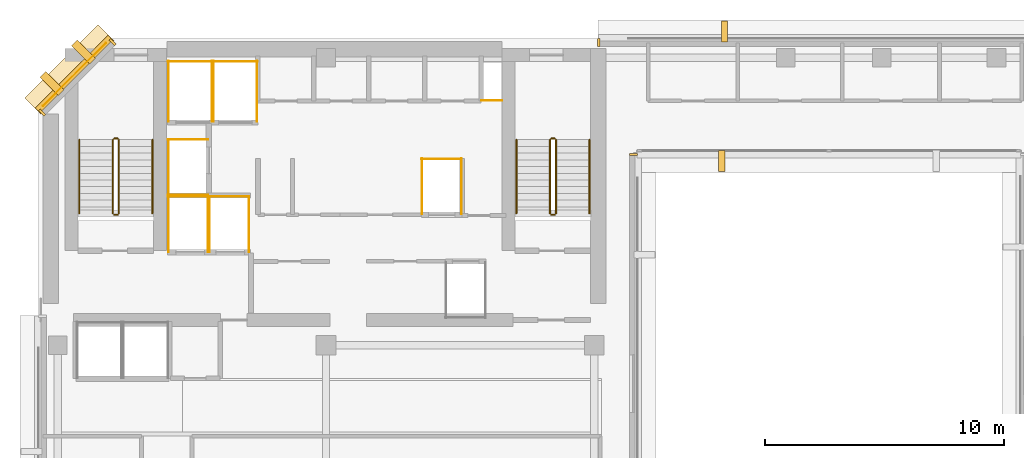
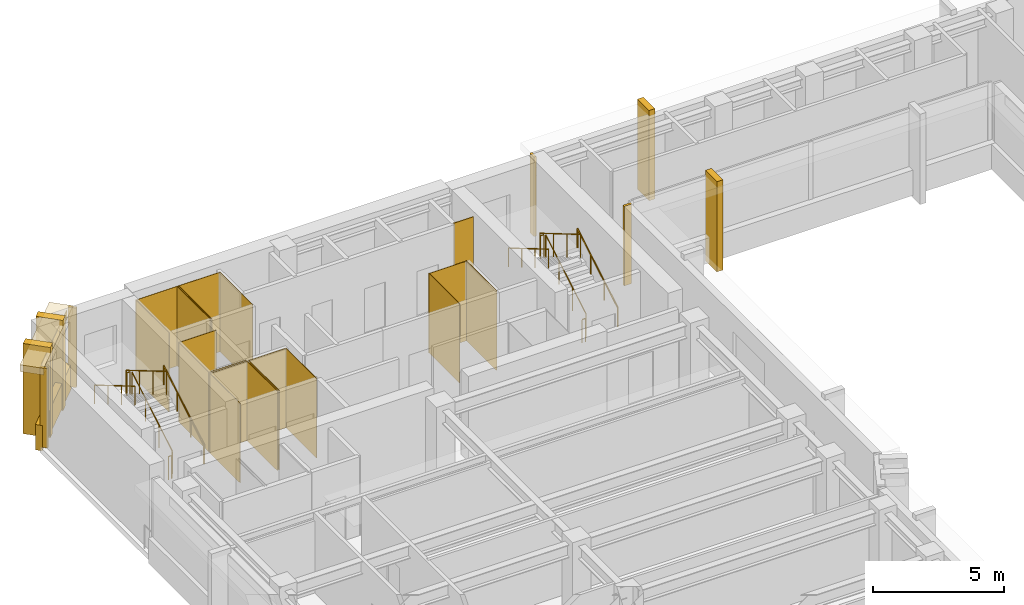
# One storey, part 11 of 12: 30 coverings, 12 railings.
"""IFC4 building model written with IfcOpenShell, lengths in metres."""

from ifc_helpers import new_model, si_unit, direction, frame, origin, origin_2d, place, context, subcontext, project, spatial, polyline, rectangle, circle, outline, extrude, material, layer, layer_set, type_object, element, save


model = new_model("IFC4")

# Units and contexts
model_context = context("Model", 3, precision=1e-05, world=origin(), true_north=direction((0.0, 1.0)))
body_context = subcontext(model_context, "Body", "Model", "MODEL_VIEW")
ifc_project = project(units=[si_unit("LENGTHUNIT", "METRE"), si_unit("AREAUNIT", "SQUARE_METRE"), si_unit("VOLUMEUNIT", "CUBIC_METRE"), si_unit("PLANEANGLEUNIT", "RADIAN"), si_unit("MASSUNIT", "GRAM", prefix="KILO")], contexts=[model_context])

# Site, building, storey
site_placement = place(None, origin())
site = spatial("IfcSite", under=ifc_project, at=site_placement, CompositionType="ELEMENT")
building_placement = place(site_placement, origin())
building = spatial("IfcBuilding", under=site, at=building_placement, Name="Kefirva Bronze Tower", CompositionType="ELEMENT")
storey_placement = place(building_placement, frame((0.0, 0.0, 235.6201171875)))
storey = spatial("IfcBuildingStorey", under=building, at=storey_placement, Name="L57", CompositionType="ELEMENT", Elevation=235.6201171875)

# Coverings
ifc_material_1 = material(Name="Bronze anodised aluminium", Category="aluminium")
ifc_layer_1 = layer(ifc_material_1, 0.02001953125, Name="Bronze anodised aluminium")
ifc_layer_set_1 = layer_set([ifc_layer_1], Name="Bronze anodised aluminium")
covering_type_1 = type_object("IfcCoveringType", Name="Anodised Bronze Spandrel Cladding 20mm", PredefinedType="CLADDING", material=ifc_layer_set_1)
for number, where, z_axis, x_axis, name in (
    (1, (24.840087890625, 41.1650390625, 0.0), (0.0, 0.0, 1.0), (0.0, 1.0, 0.0), "L57 Facade Joint Closure Panel 4E"),
    (2, (23.385009765625, 45.840087890625, 0.0), (0.0, 0.0, 1.0), (-1.0, 0.0, 0.0), "L57 Facade Joint Closure Panel 11E"),
):
    element("IfcCovering", number, at=place(storey_placement, frame(where, z_axis=z_axis, x_axis=x_axis)), inside=storey, type_object=covering_type_1, Name=name, PredefinedType="CLADDING", context=body_context, shape_type="SweptSolid", body=[
        extrude(rectangle(XDim=0.10009765625, YDim=0.320068359375, at=origin_2d()), origin(), (0.0, 0.0, 1.0), 3.7099609375),
    ])
covering_1_placement = place(storey_placement, frame((1.492919921875, 44.507080078125, 3.2900390625), z_axis=(0.0, 0.0, 1.0), x_axis=(-0.707106781187, -0.707106781187, 0.0)))
element("IfcCovering", 3, at=covering_1_placement, inside=storey, type_object=covering_type_1, Name="L57 Bronze Spandrel Cladding 12", PredefinedType="CLADDING", context=body_context, shape_type="SweptSolid", body=[
    extrude(rectangle(XDim=3.719482421875, YDim=0.02001953125, at=origin_2d()), origin(), (0.0, 0.0, 1.0), 0.39990234375),
])
for number, where, z_axis, x_axis, name in (
    (4, (3.08837890625, 45.862060546875, 0.0), (0.0, 0.0, 1.0), (-0.707106781187, -0.707106781187, 0.0), "L57 Facade Joint Closure Panel 12S"),
    (5, (0.137939453125, 42.91162109375, 0.0), (0.0, 0.0, 1.0), (-0.707106781187, -0.707106781187, 0.0), "L57 Facade Joint Closure Panel 12E"),
):
    element("IfcCovering", number, at=place(storey_placement, frame(where, z_axis=z_axis, x_axis=x_axis)), inside=storey, type_object=covering_type_1, Name=name, PredefinedType="CLADDING", context=body_context, shape_type="SweptSolid", body=[
        extrude(rectangle(XDim=0.10009765625, YDim=0.320068359375, at=origin_2d()), origin(), (0.0, 0.0, 1.0), 3.7099609375),
    ])
covering_2_placement = place(storey_placement, frame((1.4716796875, 44.5283203125, -0.16015625), z_axis=(0.0, 0.0, 1.0), x_axis=(-0.707106781187, -0.707106781187, 0.0)))
element("IfcCovering", 6, at=covering_2_placement, inside=storey, type_object=covering_type_1, Name="L57 Streamline Horizontal Spandrel Band 14", PredefinedType="CLADDING", context=body_context, shape_type="SweptSolid", body=[
    extrude(rectangle(XDim=4.28271484375, YDim=0.280029296875, at=origin_2d()), origin(), (0.0, 0.0, 1.0), 1.179931640625),
])
covering_3_placement = place(storey_placement, origin())
element("IfcCovering", 7, at=covering_3_placement, inside=storey, type_object=covering_type_1, Name="L57 Lift FF1 Hoistway Liner N", PredefinedType="CLADDING", context=body_context, shape_type="SweptSolid", body=[
    extrude(outline(polyline([(5.39990234375, 39.389892578125), (7.080078125, 39.389892578125), (7.080078125, 39.409912109375), (5.39990234375, 39.409912109375), (5.39990234375, 39.389892578125)])), origin(), (0.0, 0.0, 1.0), 3.7099609375),
])
covering_4_placement = place(storey_placement, origin())
element("IfcCovering", 8, at=covering_4_placement, inside=storey, type_object=covering_type_1, Name="L57 Lift FF1 Hoistway Liner W", PredefinedType="CLADDING", context=body_context, shape_type="SweptSolid", body=[
    extrude(outline(polyline([(5.409912109375, 37.080078125), (5.429931640625, 37.080078125), (5.429931640625, 39.419921875), (5.409912109375, 39.419921875), (5.409912109375, 37.080078125)])), origin(), (0.0, 0.0, 1.0), 3.7099609375),
])
covering_5_placement = place(storey_placement, origin())
element("IfcCovering", 9, at=covering_5_placement, inside=storey, type_object=covering_type_1, Name="L57 Lift FF1 Hoistway Liner E", PredefinedType="CLADDING", context=body_context, shape_type="SweptSolid", body=[
    extrude(outline(polyline([(7.050048828125, 37.080078125), (7.070068359375, 37.080078125), (7.070068359375, 39.419921875), (7.050048828125, 39.419921875), (7.050048828125, 37.080078125)])), origin(), (0.0, 0.0, 1.0), 3.7099609375),
])
covering_6_placement = place(storey_placement, origin())
element("IfcCovering", 10, at=covering_6_placement, inside=storey, type_object=covering_type_1, Name="L57 Lift FF2 Hoistway Liner N", PredefinedType="CLADDING", context=body_context, shape_type="SweptSolid", body=[
    extrude(outline(polyline([(7.1201171875, 39.389892578125), (8.800048828125, 39.389892578125), (8.800048828125, 39.409912109375), (7.1201171875, 39.409912109375), (7.1201171875, 39.389892578125)])), origin(), (0.0, 0.0, 1.0), 3.7099609375),
])
covering_7_placement = place(storey_placement, origin())
element("IfcCovering", 11, at=covering_7_placement, inside=storey, type_object=covering_type_1, Name="L57 Lift FF2 Hoistway Liner W", PredefinedType="CLADDING", context=body_context, shape_type="SweptSolid", body=[
    extrude(outline(polyline([(7.1298828125, 37.080078125), (7.14990234375, 37.080078125), (7.14990234375, 39.419921875), (7.1298828125, 39.419921875), (7.1298828125, 37.080078125)])), origin(), (0.0, 0.0, 1.0), 3.7099609375),
])
covering_8_placement = place(storey_placement, origin())
element("IfcCovering", 12, at=covering_8_placement, inside=storey, type_object=covering_type_1, Name="L57 Lift FF2 Hoistway Liner E", PredefinedType="CLADDING", context=body_context, shape_type="SweptSolid", body=[
    extrude(outline(polyline([(8.77001953125, 37.080078125), (8.7900390625, 37.080078125), (8.7900390625, 39.419921875), (8.77001953125, 39.419921875), (8.77001953125, 37.080078125)])), origin(), (0.0, 0.0, 1.0), 3.7099609375),
])
covering_9_placement = place(storey_placement, origin())
element("IfcCovering", 13, at=covering_9_placement, inside=storey, type_object=covering_type_1, Name="L57 Lift SV1 Hoistway Liner N", PredefinedType="CLADDING", context=body_context, shape_type="SweptSolid", body=[
    extrude(outline(polyline([(5.39990234375, 45.0400390625), (7.260009765625, 45.0400390625), (7.260009765625, 45.06005859375), (5.39990234375, 45.06005859375), (5.39990234375, 45.0400390625)])), origin(), (0.0, 0.0, 1.0), 3.7099609375),
])
covering_10_placement = place(storey_placement, origin())
element("IfcCovering", 14, at=covering_10_placement, inside=storey, type_object=covering_type_1, Name="L57 Lift SV1 Hoistway Liner W", PredefinedType="CLADDING", context=body_context, shape_type="SweptSolid", body=[
    extrude(outline(polyline([(5.409912109375, 42.530029296875), (5.429931640625, 42.530029296875), (5.429931640625, 45.070068359375), (5.409912109375, 45.070068359375), (5.409912109375, 42.530029296875)])), origin(), (0.0, 0.0, 1.0), 3.7099609375),
])
covering_11_placement = place(storey_placement, origin())
element("IfcCovering", 15, at=covering_11_placement, inside=storey, type_object=covering_type_1, Name="L57 Lift SV1 Hoistway Liner E", PredefinedType="CLADDING", context=body_context, shape_type="SweptSolid", body=[
    extrude(outline(polyline([(7.22998046875, 42.530029296875), (7.25, 42.530029296875), (7.25, 45.070068359375), (7.22998046875, 45.070068359375), (7.22998046875, 42.530029296875)])), origin(), (0.0, 0.0, 1.0), 3.7099609375),
])
covering_12_placement = place(storey_placement, origin())
element("IfcCovering", 16, at=covering_12_placement, inside=storey, type_object=covering_type_1, Name="L57 Lift SV2 Hoistway Liner N", PredefinedType="CLADDING", context=body_context, shape_type="SweptSolid", body=[
    extrude(outline(polyline([(7.280029296875, 45.0400390625), (9.139892578125, 45.0400390625), (9.139892578125, 45.06005859375), (7.280029296875, 45.06005859375), (7.280029296875, 45.0400390625)])), origin(), (0.0, 0.0, 1.0), 3.7099609375),
])
covering_13_placement = place(storey_placement, origin())
element("IfcCovering", 17, at=covering_13_placement, inside=storey, type_object=covering_type_1, Name="L57 Lift SV2 Hoistway Liner W", PredefinedType="CLADDING", context=body_context, shape_type="SweptSolid", body=[
    extrude(outline(polyline([(7.2900390625, 42.530029296875), (7.31005859375, 42.530029296875), (7.31005859375, 45.070068359375), (7.2900390625, 45.070068359375), (7.2900390625, 42.530029296875)])), origin(), (0.0, 0.0, 1.0), 3.7099609375),
])
covering_14_placement = place(storey_placement, origin())
element("IfcCovering", 18, at=covering_14_placement, inside=storey, type_object=covering_type_1, Name="L57 Lift SV2 Hoistway Liner E", PredefinedType="CLADDING", context=body_context, shape_type="SweptSolid", body=[
    extrude(outline(polyline([(9.110107421875, 42.530029296875), (9.1298828125, 42.530029296875), (9.1298828125, 45.070068359375), (9.110107421875, 45.070068359375), (9.110107421875, 42.530029296875)])), origin(), (0.0, 0.0, 1.0), 3.7099609375),
])
covering_15_placement = place(storey_placement, origin())
element("IfcCovering", 19, at=covering_15_placement, inside=storey, type_object=covering_type_1, Name="L57 Lift HP2 Hoistway Liner N", PredefinedType="CLADDING", context=body_context, shape_type="SweptSolid", body=[
    extrude(outline(polyline([(15.97998046875, 40.969970703125), (17.669921875, 40.969970703125), (17.669921875, 40.989990234375), (15.97998046875, 40.989990234375), (15.97998046875, 40.969970703125)])), origin(), (0.0, 0.0, 1.0), 3.7099609375),
])
covering_16_placement = place(storey_placement, origin())
element("IfcCovering", 20, at=covering_16_placement, inside=storey, type_object=covering_type_1, Name="L57 Lift HP2 Hoistway Liner W", PredefinedType="CLADDING", context=body_context, shape_type="SweptSolid", body=[
    extrude(outline(polyline([(15.989990234375, 38.659912109375), (16.010009765625, 38.659912109375), (16.010009765625, 41.0), (15.989990234375, 41.0), (15.989990234375, 38.659912109375)])), origin(), (0.0, 0.0, 1.0), 3.7099609375),
])
covering_17_placement = place(storey_placement, origin())
element("IfcCovering", 21, at=covering_17_placement, inside=storey, type_object=covering_type_1, Name="L57 Lift HP2 Hoistway Liner E", PredefinedType="CLADDING", context=body_context, shape_type="SweptSolid", body=[
    extrude(outline(polyline([(17.639892578125, 38.659912109375), (17.659912109375, 38.659912109375), (17.659912109375, 41.0), (17.639892578125, 41.0), (17.639892578125, 38.659912109375)])), origin(), (0.0, 0.0, 1.0), 3.7099609375),
])
covering_18_placement = place(storey_placement, origin())
element("IfcCovering", 22, at=covering_18_placement, inside=storey, type_object=covering_type_1, Name="L57 Lift HP3 Hoistway Liner N", PredefinedType="CLADDING", context=body_context, shape_type="SweptSolid", body=[
    extrude(outline(polyline([(5.39990234375, 41.77001953125), (7.080078125, 41.77001953125), (7.080078125, 41.7900390625), (5.39990234375, 41.7900390625), (5.39990234375, 41.77001953125)])), origin(), (0.0, 0.0, 1.0), 3.7099609375),
])
covering_19_placement = place(storey_placement, origin())
element("IfcCovering", 23, at=covering_19_placement, inside=storey, type_object=covering_type_1, Name="L57 Lift HP3 Hoistway Liner S", PredefinedType="CLADDING", context=body_context, shape_type="SweptSolid", body=[
    extrude(outline(polyline([(5.39990234375, 39.469970703125), (7.080078125, 39.469970703125), (7.080078125, 39.489990234375), (5.39990234375, 39.489990234375), (5.39990234375, 39.469970703125)])), origin(), (0.0, 0.0, 1.0), 3.7099609375),
])
covering_20_placement = place(storey_placement, origin())
element("IfcCovering", 24, at=covering_20_placement, inside=storey, type_object=covering_type_1, Name="L57 Lift HP3 Hoistway Liner W", PredefinedType="CLADDING", context=body_context, shape_type="SweptSolid", body=[
    extrude(outline(polyline([(5.409912109375, 39.4599609375), (5.429931640625, 39.4599609375), (5.429931640625, 41.800048828125), (5.409912109375, 41.800048828125), (5.409912109375, 39.4599609375)])), origin(), (0.0, 0.0, 1.0), 3.7099609375),
])
covering_21_placement = place(storey_placement, origin())
element("IfcCovering", 25, at=covering_21_placement, inside=storey, type_object=covering_type_1, Name="L57 Core MEP Riser Shaft Liner South", PredefinedType="CLADDING", context=body_context, shape_type="SweptSolid", body=[
    extrude(outline(polyline([(18.47998046875, 43.39990234375), (19.360107421875, 43.39990234375), (19.360107421875, 43.429931640625), (18.47998046875, 43.429931640625), (18.47998046875, 43.39990234375)])), origin(), (0.0, 0.0, 1.0), 3.7099609375),
])

# Railings
ifc_material_2 = material(Name="Stainless steel 316", Category="steel")
railing_type_1 = type_object("IfcRailingType", Name="Interior Stair Guardrail 1100mm", PredefinedType="GUARDRAIL", material=ifc_material_2)
railing_1_placement = place(storey_placement, frame((3.35009765625, 38.699951171875, 0.164794921875)))
element("IfcRailing", 26, at=railing_1_placement, inside=storey, type_object=railing_type_1, Name="L57 ST-1 stair guard 1", PredefinedType="GUARDRAIL", context=body_context, shape_type="SweptSolid", body=[
    extrude(circle(Radius=0.02392578125, at=origin_2d()), frame((0.0, 0.0, 1.076171875), z_axis=(0.0, 0.861521393093, 0.507721271215), x_axis=(-1.0, 0.0, 0.0)), (0.0, 0.0, 1.0), 3.5751953125),
    extrude(circle(Radius=0.02099609375, at=origin_2d()), origin(), (0.0, 0.0, 1.0), 1.052001953125),
    extrude(circle(Radius=0.02099609375, at=origin_2d()), frame((0.0, 1.026611328125, 0.60498046875)), (0.0, 0.0, 1.0), 1.052001953125),
    extrude(circle(Radius=0.02099609375, at=origin_2d()), frame((0.0, 2.053466796875, 1.210205078125)), (0.0, 0.0, 1.0), 1.052001953125),
    extrude(circle(Radius=0.02099609375, at=origin_2d()), frame((0.0, 3.080078125, 1.815185546875)), (0.0, 0.0, 1.0), 1.052001953125),
])
railing_2_placement = place(storey_placement, frame((3.300048828125, 41.830078125, 1.97998046875)))
element("IfcRailing", 27, at=railing_2_placement, inside=storey, type_object=railing_type_1, Name="L57 ST-1 stair guard 2", PredefinedType="GUARDRAIL", context=body_context, shape_type="SweptSolid", body=[
    extrude(circle(Radius=0.02392578125, at=origin_2d()), frame((0.0, 0.0, 1.076171875), z_axis=(-1.0, 0.0, 0.0), x_axis=(0.0, -1.0, 0.0)), (0.0, 0.0, 1.0), 0.150146484375),
    extrude(circle(Radius=0.02099609375, at=origin_2d()), origin(), (0.0, 0.0, 1.0), 1.052001953125),
    extrude(circle(Radius=0.02099609375, at=origin_2d()), frame((-0.150146484375, 0.0, 0.0)), (0.0, 0.0, 1.0), 1.052001953125),
])
railing_3_placement = place(storey_placement, frame((3.10009765625, 41.780029296875, 2.144775390625)))
element("IfcRailing", 28, at=railing_3_placement, inside=storey, type_object=railing_type_1, Name="L57 ST-1 stair guard 3", PredefinedType="GUARDRAIL", context=body_context, shape_type="SweptSolid", body=[
    extrude(circle(Radius=0.02392578125, at=origin_2d()), frame((0.0, 0.0, 1.076171875), z_axis=(0.0, -0.861521393093, 0.507721271215), x_axis=(1.0, 0.0, 0.0)), (0.0, 0.0, 1.0), 3.5751953125),
    extrude(circle(Radius=0.02099609375, at=origin_2d()), origin(), (0.0, 0.0, 1.0), 1.052001953125),
    extrude(circle(Radius=0.02099609375, at=origin_2d()), frame((0.0, -1.026611328125, 0.60498046875)), (0.0, 0.0, 1.0), 1.052001953125),
    extrude(circle(Radius=0.02099609375, at=origin_2d()), frame((0.0, -2.053466796875, 1.210205078125)), (0.0, 0.0, 1.0), 1.052001953125),
    extrude(circle(Radius=0.02099609375, at=origin_2d()), frame((0.0, -3.080078125, 1.815185546875)), (0.0, 0.0, 1.0), 1.052001953125),
])
railing_4_placement = place(storey_placement, frame((3.300048828125, 38.64990234375, 0.0)))
element("IfcRailing", 29, at=railing_4_placement, inside=storey, type_object=railing_type_1, Name="L57 ST-1 stair guard 4", PredefinedType="GUARDRAIL", context=body_context, shape_type="SweptSolid", body=[
    extrude(circle(Radius=0.02392578125, at=origin_2d()), frame((0.0, 0.0, 1.076171875), z_axis=(-1.0, 0.0, 0.0), x_axis=(0.0, -1.0, 0.0)), (0.0, 0.0, 1.0), 0.150146484375),
    extrude(circle(Radius=0.02099609375, at=origin_2d()), origin(), (0.0, 0.0, 1.0), 1.052001953125),
    extrude(circle(Radius=0.02099609375, at=origin_2d()), frame((-0.150146484375, 0.0, 0.0)), (0.0, 0.0, 1.0), 1.052001953125),
])
railing_5_placement = place(storey_placement, frame((21.60009765625, 38.699951171875, 0.164794921875)))
element("IfcRailing", 30, at=railing_5_placement, inside=storey, type_object=railing_type_1, Name="L57 ST-2 stair guard 1", PredefinedType="GUARDRAIL", context=body_context, shape_type="SweptSolid", body=[
    extrude(circle(Radius=0.02392578125, at=origin_2d()), frame((0.0, 0.0, 1.076171875), z_axis=(0.0, 0.861521393093, 0.507721271215), x_axis=(-1.0, 0.0, 0.0)), (0.0, 0.0, 1.0), 3.5751953125),
    extrude(circle(Radius=0.02099609375, at=origin_2d()), origin(), (0.0, 0.0, 1.0), 1.052001953125),
    extrude(circle(Radius=0.02099609375, at=origin_2d()), frame((0.0, 1.026611328125, 0.60498046875)), (0.0, 0.0, 1.0), 1.052001953125),
    extrude(circle(Radius=0.02099609375, at=origin_2d()), frame((0.0, 2.053466796875, 1.210205078125)), (0.0, 0.0, 1.0), 1.052001953125),
    extrude(circle(Radius=0.02099609375, at=origin_2d()), frame((0.0, 3.080078125, 1.815185546875)), (0.0, 0.0, 1.0), 1.052001953125),
])
railing_6_placement = place(storey_placement, frame((21.550048828125, 41.830078125, 1.97998046875)))
element("IfcRailing", 31, at=railing_6_placement, inside=storey, type_object=railing_type_1, Name="L57 ST-2 stair guard 2", PredefinedType="GUARDRAIL", context=body_context, shape_type="SweptSolid", body=[
    extrude(circle(Radius=0.02392578125, at=origin_2d()), frame((0.0, 0.0, 1.076171875), z_axis=(-1.0, 0.0, 0.0), x_axis=(0.0, -1.0, 0.0)), (0.0, 0.0, 1.0), 0.150146484375),
    extrude(circle(Radius=0.02099609375, at=origin_2d()), origin(), (0.0, 0.0, 1.0), 1.052001953125),
    extrude(circle(Radius=0.02099609375, at=origin_2d()), frame((-0.150146484375, 0.0, 0.0)), (0.0, 0.0, 1.0), 1.052001953125),
])
railing_7_placement = place(storey_placement, frame((21.35009765625, 41.780029296875, 2.144775390625)))
element("IfcRailing", 32, at=railing_7_placement, inside=storey, type_object=railing_type_1, Name="L57 ST-2 stair guard 3", PredefinedType="GUARDRAIL", context=body_context, shape_type="SweptSolid", body=[
    extrude(circle(Radius=0.02392578125, at=origin_2d()), frame((0.0, 0.0, 1.076171875), z_axis=(0.0, -0.861521393093, 0.507721271215), x_axis=(1.0, 0.0, 0.0)), (0.0, 0.0, 1.0), 3.5751953125),
    extrude(circle(Radius=0.02099609375, at=origin_2d()), origin(), (0.0, 0.0, 1.0), 1.052001953125),
    extrude(circle(Radius=0.02099609375, at=origin_2d()), frame((0.0, -1.026611328125, 0.60498046875)), (0.0, 0.0, 1.0), 1.052001953125),
    extrude(circle(Radius=0.02099609375, at=origin_2d()), frame((0.0, -2.053466796875, 1.210205078125)), (0.0, 0.0, 1.0), 1.052001953125),
    extrude(circle(Radius=0.02099609375, at=origin_2d()), frame((0.0, -3.080078125, 1.815185546875)), (0.0, 0.0, 1.0), 1.052001953125),
])
railing_8_placement = place(storey_placement, frame((21.550048828125, 38.64990234375, 0.0)))
element("IfcRailing", 33, at=railing_8_placement, inside=storey, type_object=railing_type_1, Name="L57 ST-2 stair guard 4", PredefinedType="GUARDRAIL", context=body_context, shape_type="SweptSolid", body=[
    extrude(circle(Radius=0.02392578125, at=origin_2d()), frame((0.0, 0.0, 1.076171875), z_axis=(-1.0, 0.0, 0.0), x_axis=(0.0, -1.0, 0.0)), (0.0, 0.0, 1.0), 0.150146484375),
    extrude(circle(Radius=0.02099609375, at=origin_2d()), origin(), (0.0, 0.0, 1.0), 1.052001953125),
    extrude(circle(Radius=0.02099609375, at=origin_2d()), frame((-0.150146484375, 0.0, 0.0)), (0.0, 0.0, 1.0), 1.052001953125),
])
railing_type_2 = type_object("IfcRailingType", Name="Stair Pitch Handrail 900mm", PredefinedType="HANDRAIL", material=ifc_material_2)
railing_9_placement = place(storey_placement, frame((4.75, 38.699951171875, 0.164794921875)))
element("IfcRailing", 34, at=railing_9_placement, inside=storey, type_object=railing_type_2, Name="L57 ST-1 stair handrail 1", PredefinedType="HANDRAIL", context=body_context, shape_type="SweptSolid", body=[
    extrude(circle(Radius=0.02392578125, at=origin_2d()), frame((0.0, 0.0, 0.8759765625), z_axis=(0.0, 0.861521393093, 0.507721271215), x_axis=(-1.0, 0.0, 0.0)), (0.0, 0.0, 1.0), 3.5751953125),
    extrude(circle(Radius=0.02099609375, at=origin_2d()), origin(), (0.0, 0.0, 1.0), 0.851806640625),
    extrude(circle(Radius=0.02099609375, at=origin_2d()), frame((0.0, 1.026611328125, 0.60498046875)), (0.0, 0.0, 1.0), 0.851806640625),
    extrude(circle(Radius=0.02099609375, at=origin_2d()), frame((0.0, 2.053466796875, 1.210205078125)), (0.0, 0.0, 1.0), 0.851806640625),
    extrude(circle(Radius=0.02099609375, at=origin_2d()), frame((0.0, 3.080078125, 1.815185546875)), (0.0, 0.0, 1.0), 0.851806640625),
])
railing_10_placement = place(storey_placement, frame((1.699951171875, 41.780029296875, 2.144775390625)))
element("IfcRailing", 35, at=railing_10_placement, inside=storey, type_object=railing_type_2, Name="L57 ST-1 stair handrail 2", PredefinedType="HANDRAIL", context=body_context, shape_type="SweptSolid", body=[
    extrude(circle(Radius=0.02392578125, at=origin_2d()), frame((0.0, 0.0, 0.8759765625), z_axis=(0.0, -0.861521393093, 0.507721271215), x_axis=(1.0, 0.0, 0.0)), (0.0, 0.0, 1.0), 3.5751953125),
    extrude(circle(Radius=0.02099609375, at=origin_2d()), origin(), (0.0, 0.0, 1.0), 0.851806640625),
    extrude(circle(Radius=0.02099609375, at=origin_2d()), frame((0.0, -1.026611328125, 0.60498046875)), (0.0, 0.0, 1.0), 0.851806640625),
    extrude(circle(Radius=0.02099609375, at=origin_2d()), frame((0.0, -2.053466796875, 1.210205078125)), (0.0, 0.0, 1.0), 0.851806640625),
    extrude(circle(Radius=0.02099609375, at=origin_2d()), frame((0.0, -3.080078125, 1.815185546875)), (0.0, 0.0, 1.0), 0.851806640625),
])
railing_11_placement = place(storey_placement, frame((23.0, 38.699951171875, 0.164794921875)))
element("IfcRailing", 36, at=railing_11_placement, inside=storey, type_object=railing_type_2, Name="L57 ST-2 stair handrail 1", PredefinedType="HANDRAIL", context=body_context, shape_type="SweptSolid", body=[
    extrude(circle(Radius=0.02392578125, at=origin_2d()), frame((0.0, 0.0, 0.8759765625), z_axis=(0.0, 0.861521393093, 0.507721271215), x_axis=(-1.0, 0.0, 0.0)), (0.0, 0.0, 1.0), 3.5751953125),
    extrude(circle(Radius=0.02099609375, at=origin_2d()), origin(), (0.0, 0.0, 1.0), 0.851806640625),
    extrude(circle(Radius=0.02099609375, at=origin_2d()), frame((0.0, 1.026611328125, 0.60498046875)), (0.0, 0.0, 1.0), 0.851806640625),
    extrude(circle(Radius=0.02099609375, at=origin_2d()), frame((0.0, 2.053466796875, 1.210205078125)), (0.0, 0.0, 1.0), 0.851806640625),
    extrude(circle(Radius=0.02099609375, at=origin_2d()), frame((0.0, 3.080078125, 1.815185546875)), (0.0, 0.0, 1.0), 0.851806640625),
])
railing_12_placement = place(storey_placement, frame((19.949951171875, 41.780029296875, 2.144775390625)))
element("IfcRailing", 37, at=railing_12_placement, inside=storey, type_object=railing_type_2, Name="L57 ST-2 stair handrail 2", PredefinedType="HANDRAIL", context=body_context, shape_type="SweptSolid", body=[
    extrude(circle(Radius=0.02392578125, at=origin_2d()), frame((0.0, 0.0, 0.8759765625), z_axis=(0.0, -0.861521393093, 0.507721271215), x_axis=(1.0, 0.0, 0.0)), (0.0, 0.0, 1.0), 3.5751953125),
    extrude(circle(Radius=0.02099609375, at=origin_2d()), origin(), (0.0, 0.0, 1.0), 0.851806640625),
    extrude(circle(Radius=0.02099609375, at=origin_2d()), frame((0.0, -1.026611328125, 0.60498046875)), (0.0, 0.0, 1.0), 0.851806640625),
    extrude(circle(Radius=0.02099609375, at=origin_2d()), frame((0.0, -2.053466796875, 1.210205078125)), (0.0, 0.0, 1.0), 0.851806640625),
    extrude(circle(Radius=0.02099609375, at=origin_2d()), frame((0.0, -3.080078125, 1.815185546875)), (0.0, 0.0, 1.0), 0.851806640625),
])

# Coverings
ifc_layer_2 = layer(ifc_material_1, 0.179931640625, Name="Bronze anodised aluminium")
ifc_layer_set_2 = layer_set([ifc_layer_2], Name="Bronze anodised aluminium")
covering_type_2 = type_object("IfcCoveringType", Name="Streamline Bronze Sunshade Eyebrow Cladding 180mm", PredefinedType="CLADDING", material=ifc_layer_set_2)
covering_22_placement = place(storey_placement, frame((1.28076171875, 44.71923828125, 3.3896484375), z_axis=(0.0, 0.0, 1.0), x_axis=(-0.707106781187, -0.707106781187, 0.0)))
element("IfcCovering", 38, at=covering_22_placement, inside=storey, type_object=covering_type_2, Name="L57 Streamline Bronze Sunshade Eyebrow 14", PredefinedType="CLADDING", context=body_context, shape_type="SweptSolid", body=[
    extrude(rectangle(XDim=4.322509765625, YDim=0.93994140625, at=origin_2d()), origin(), (0.0, 0.0, 1.0), 0.320068359375),
])
ifc_layer_3 = layer(ifc_material_1, 0.260009765625, Name="Bronze anodised aluminium")
ifc_layer_set_3 = layer_set([ifc_layer_3], Name="Bronze anodised aluminium")
covering_type_3 = type_object("IfcCoveringType", Name="Unbroken Bronze Buttress Fin Cladding 260mm", PredefinedType="CLADDING", material=ifc_layer_set_3)
for number, where, z_axis, x_axis, name in (
    (39, (28.52001953125, 40.89990234375, -0.25), (0.0, 0.0, 1.0), (1.0, 0.0, 0.0), "L57 Unbroken Vertical Bronze Rib Fin 11"),
    (40, (28.639892578125, 46.300048828125, -0.25), (0.0, 0.0, 1.0), (-1.0, 0.0, 0.0), "L57 Unbroken Vertical Bronze Rib Fin 24"),
):
    element("IfcCovering", number, at=place(storey_placement, frame(where, z_axis=z_axis, x_axis=x_axis)), inside=storey, type_object=covering_type_3, Name=name, PredefinedType="CLADDING", context=body_context, shape_type="SweptSolid", body=[
        extrude(rectangle(XDim=0.260009765625, YDim=0.8798828125, at=origin_2d()), origin(), (0.0, 0.0, 1.0), 4.2099609375),
    ])
for number, where, z_axis, x_axis, name in (
    (41, (1.877197265625, 45.44287109375, -0.25), (0.0, 0.0, 1.0), (-0.707106781187, -0.707106781187, 0.0), "L57 Chamfered Corner Buttress Fin Cladding 25"),
    (42, (0.55712890625, 44.122802734375, -0.25), (0.0, 0.0, 1.0), (-0.707106781187, -0.707106781187, 0.0), "L57 Chamfered Corner Buttress Fin Cladding 26"),
):
    element("IfcCovering", number, at=place(storey_placement, frame(where, z_axis=z_axis, x_axis=x_axis)), inside=storey, type_object=covering_type_3, Name=name, PredefinedType="CLADDING", context=body_context, shape_type="SweptSolid", body=[
        extrude(rectangle(XDim=0.340087890625, YDim=1.080078125, at=origin_2d()), origin(), (0.0, 0.0, 1.0), 4.2099609375),
    ])

save(model, "model.ifc")
